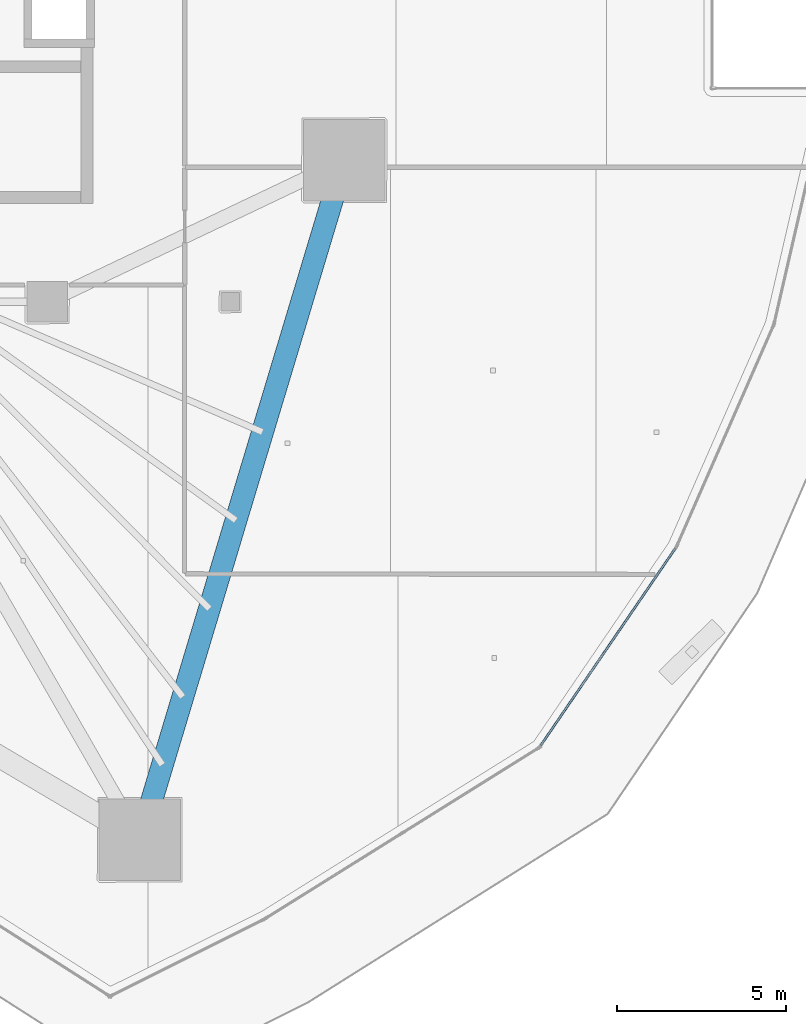
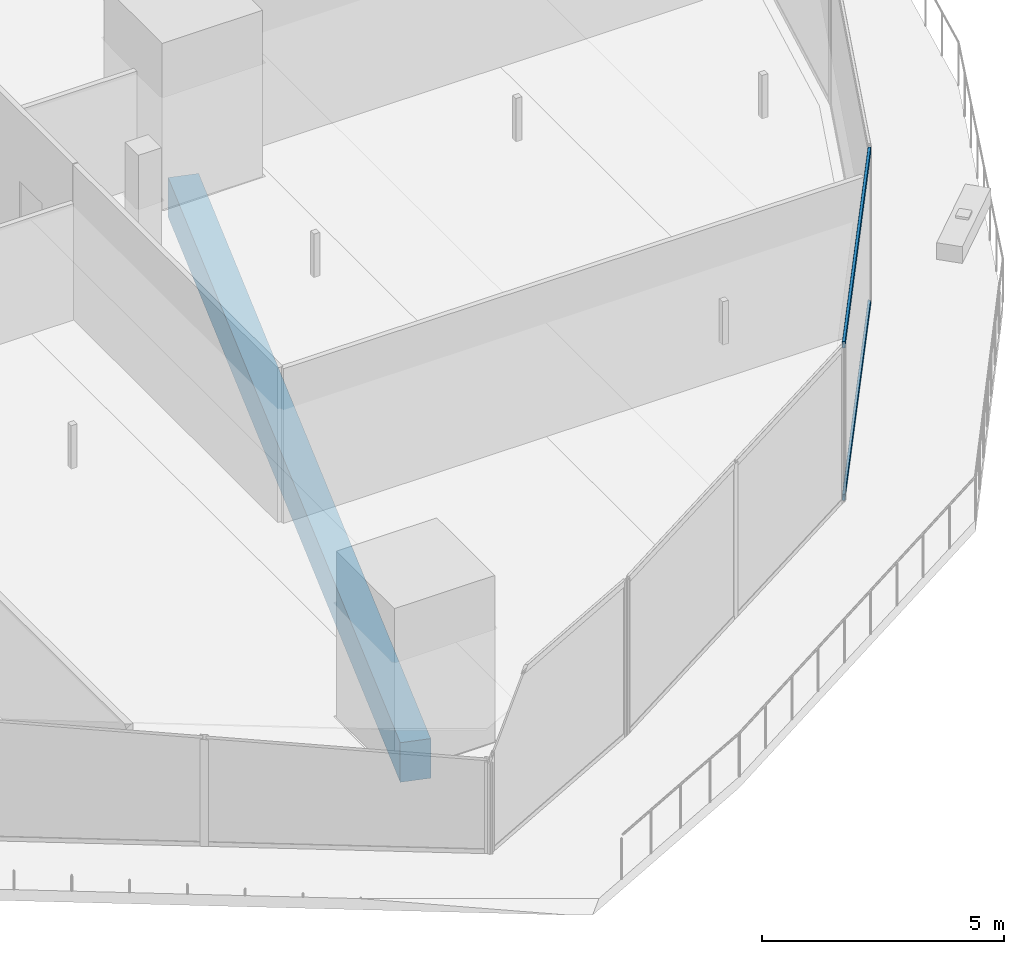
# One storey, part 10 of 46: 2 members, 1 beam, 1 element without a shape of its own.
"""IFC4 building model written with IfcOpenShell, lengths in metres."""

from ifc_helpers import new_model, si_unit, direction, frame, origin, origin_2d, place, context, subcontext, project, spatial, rectangle, hollow_rectangle, extrude, material, layer, layer_set, material_profile, profile_set, type_object, element, aggregate, save


model = new_model("IFC4")

# Units and contexts
model_context = context("Model", 3, precision=1e-05, world=origin(), true_north=direction((0.0, 1.0)))
body_context = subcontext(model_context, "Body", "Model", "MODEL_VIEW")
ifc_project = project(units=[si_unit("LENGTHUNIT", "METRE"), si_unit("AREAUNIT", "SQUARE_METRE"), si_unit("VOLUMEUNIT", "CUBIC_METRE"), si_unit("PLANEANGLEUNIT", "RADIAN"), si_unit("MASSUNIT", "GRAM", prefix="KILO")], contexts=[model_context])

# Site, building, storey
site_placement = place(None, origin())
site = spatial("IfcSite", under=ifc_project, at=site_placement, CompositionType="ELEMENT")
building_placement = place(site_placement, origin())
building = spatial("IfcBuilding", under=site, at=building_placement, Name="Qorvath Tower", CompositionType="ELEMENT")
storey_placement = place(building_placement, frame((0.0, 0.0, 87.0)))
storey = spatial("IfcBuildingStorey", under=building, at=storey_placement, Name="L19", CompositionType="ELEMENT", Elevation=87.0)

# Beam
ifc_material_1 = material(Name="Concrete C50/60", Category="concrete")
ifc_material_profile_1 = material_profile(ifc_material_1, rectangle(XDim=0.64990234375, YDim=1.0, at=origin_2d()), Name="RCB 1000x650")
ifc_profile_set_1 = profile_set([ifc_material_profile_1], Name="Concrete C50/60")
beam_type = type_object("IfcBeamType", Name="BM-RCB1", PredefinedType="SPANDREL", material=ifc_profile_set_1)
beam_placement = place(storey_placement, frame((-14.46435546875, -27.330810546875, -0.780029296875), z_axis=(0.288118908799, 0.957594639914, 0.0), x_axis=(-0.957594639914, 0.288118908799, 0.0)))
element("IfcBeam", 1, at=beam_placement, inside=storey, type_object=beam_type, Name="Perimeter Loggia Frame Beam MC3-MC4 L19", PredefinedType="SPANDREL", context=body_context, shape_type="SweptSolid", body=[
    extrude(rectangle(XDim=0.64990234375, YDim=1.0, at=origin_2d()), origin(), (0.0, 0.0, 1.0), 20.942626953125),
])

# Curtain wall, members
ifc_material_2 = material(Name="Anodised aluminium and triple low-E glass", Category="aluminium")
ifc_layer = layer(ifc_material_2, 0.179931640625)
ifc_layer_set = layer_set([ifc_layer], Name="CW-SYS-2")
curtain_wall_type = type_object("IfcCurtainWallType", Name="CW-SYS-2", PredefinedType="NOTDEFINED", material=ifc_layer_set)
curtain_wall_placement = place(storey_placement, origin())
curtain_wall = element("IfcCurtainWall", 2, at=curtain_wall_placement, inside=storey, type_object=curtain_wall_type, Name="Curtain Wall CW-2 CW-T-L19-5.1", PredefinedType="NOTDEFINED")
ifc_material_3 = material(Name="Anodised aluminium 6063-T6", Category="aluminium")
ifc_material_profile_2 = material_profile(ifc_material_3, hollow_rectangle(XDim=0.06494140625, YDim=0.159912109375, WallThickness=0.00341796875, InnerFilletRadius=0.00341796875, OuterFilletRadius=0.007080078125, at=origin_2d()), Name="CWT 160x65")
ifc_profile_set_2 = profile_set([ifc_material_profile_2], Name="Anodised aluminium 6063-T6")
member_type = type_object("IfcMemberType", Name="CWT-160", PredefinedType="USERDEFINED", material=ifc_profile_set_2)
member_1_placement = place(storey_placement, frame((-2.632568359375, -24.55029296875, 0.032470703125), z_axis=(0.564049366071, 0.825741068759, 0.0), x_axis=(-0.825741068759, 0.564049366071, 0.0)))
member_1 = element("IfcMember", 3, at=member_1_placement, type_object=member_type, Name="CW-2 transom 1.1", ObjectType="TRANSOM", PredefinedType="USERDEFINED", context=body_context, shape_type="SweptSolid", body=[
    extrude(hollow_rectangle(XDim=0.06494140625, YDim=0.159912109375, WallThickness=0.00341796875, InnerFilletRadius=0.00341796875, OuterFilletRadius=0.007080078125, at=origin_2d()), origin(), (0.0, 0.0, 1.0), 7.0361328125),
])
member_2_placement = place(storey_placement, frame((-2.632568359375, -24.55029296875, 3.887451171875), z_axis=(0.564049366071, 0.825741068759, 0.0), x_axis=(-0.825741068759, 0.564049366071, 0.0)))
member_2 = element("IfcMember", 4, at=member_2_placement, type_object=member_type, Name="CW-2 transom 1.2", ObjectType="TRANSOM", PredefinedType="USERDEFINED", context=body_context, shape_type="SweptSolid", body=[
    extrude(hollow_rectangle(XDim=0.06494140625, YDim=0.159912109375, WallThickness=0.00341796875, InnerFilletRadius=0.00341796875, OuterFilletRadius=0.007080078125, at=origin_2d()), origin(), (0.0, 0.0, 1.0), 7.0361328125),
])
aggregate(curtain_wall, [member_1, member_2])

save(model, "model.ifc")
